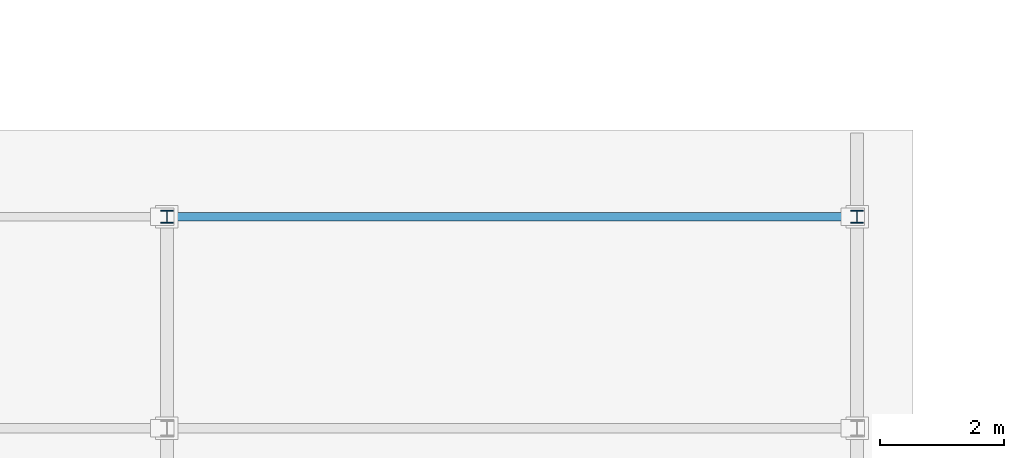
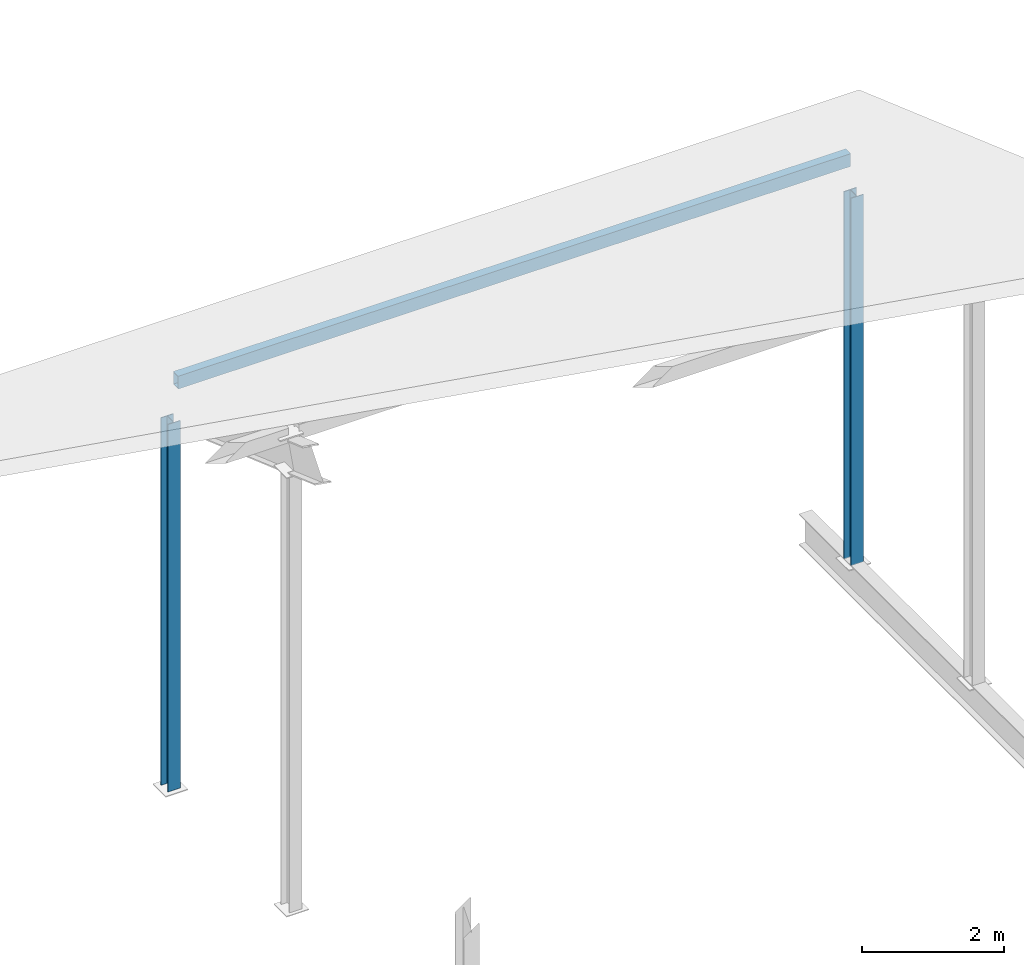
# One storey, part 13 of 42: 3 members.
"""IFC4 building model written with IfcOpenShell, lengths in metres."""

from ifc_helpers import new_model, si_unit, direction, frame, origin, origin_2d, place, context, subcontext, project, spatial, hollow_rectangle, i_section, extrude, material, material_profile, profile_set, type_object, element, save


model = new_model("IFC4")

# Units and contexts
model_context = context("Model", 3, precision=1e-05, world=origin(), true_north=direction((0.0, 1.0)))
body_context = subcontext(model_context, "Body", "Model", "MODEL_VIEW")
ifc_project = project(units=[si_unit("LENGTHUNIT", "METRE"), si_unit("AREAUNIT", "SQUARE_METRE"), si_unit("VOLUMEUNIT", "CUBIC_METRE"), si_unit("PLANEANGLEUNIT", "RADIAN"), si_unit("MASSUNIT", "GRAM", prefix="KILO")], contexts=[model_context])

# Site, building, storey
site_placement = place(None, origin())
site = spatial("IfcSite", under=ifc_project, at=site_placement, CompositionType="ELEMENT")
building_placement = place(site_placement, origin())
building = spatial("IfcBuilding", under=site, at=building_placement, Name="Kelmvaro Bay Concert Hall", CompositionType="ELEMENT")
storey_placement = place(building_placement, frame((0.0, 0.0, 26.699951171875)))
storey = spatial("IfcBuildingStorey", under=building, at=storey_placement, Name="RF", CompositionType="ELEMENT", Elevation=26.699951171875)

# Members
ifc_material_1 = material(Name="Steel ASTM A992 Grade 50", Category="steel")
ifc_material_profile_1 = material_profile(ifc_material_1, i_section(OverallWidth=0.2041015625, OverallDepth=0.2060546875, WebThickness=0.0078125, FlangeThickness=0.0126953125, at=origin_2d()), Name="W8X35")
ifc_profile_set_1 = profile_set([ifc_material_profile_1], Name="Steel ASTM A992 Grade 50")
member_type_1 = type_object("IfcMemberType", Name="Crystal Eave Tie Strut W8x35", PredefinedType="STRUT", material=ifc_profile_set_1)
for number, where, z_axis, x_axis, name in (
    (1, (36.0, 37.60009765625, -12.9150390625), (0.0, 0.0, 1.0), (1.0, 0.0, 0.0), "V3 Crystal Roof Post 020"),
    (2, (47.10009765625, 37.60009765625, -12.9150390625), (0.0, 0.0, 1.0), (1.0, 0.0, 0.0), "V3 Crystal Roof Post 025"),
):
    element("IfcMember", number, at=place(storey_placement, frame(where, z_axis=z_axis, x_axis=x_axis)), inside=storey, type_object=member_type_1, Name=name, PredefinedType="STRUT", context=body_context, shape_type="SweptSolid", body=[
        extrude(i_section(OverallWidth=0.2041015625, OverallDepth=0.2060546875, WebThickness=0.0078125, FlangeThickness=0.0126953125, at=origin_2d()), origin(), (0.0, 0.0, 1.0), 6.314453125),
    ])
ifc_material_2 = material(Name="Steel ASTM A500 Grade C", Category="steel")
ifc_material_profile_2 = material_profile(ifc_material_2, hollow_rectangle(XDim=0.139892578125, YDim=0.219970703125, WallThickness=0.010009765625, at=origin_2d()), Name="HSS220X140X10")
ifc_profile_set_2 = profile_set([ifc_material_profile_2], Name="Steel ASTM A500 Grade C")
member_type_2 = type_object("IfcMemberType", Name="Crystal Roof Eave Purlin HSS220x140x10", PredefinedType="PURLIN", material=ifc_profile_set_2)
member_placement = place(storey_placement, frame((36.0849609375, 37.60009765625, -5.965576171875), z_axis=(1.0, 0.0, 0.0), x_axis=(0.0, 1.0, 0.0)))
element("IfcMember", 3, at=member_placement, inside=storey, type_object=member_type_2, Name="V3 Crystal Roof Purlin 032", PredefinedType="PURLIN", context=body_context, shape_type="SweptSolid", body=[
    extrude(hollow_rectangle(XDim=0.139892578125, YDim=0.219970703125, WallThickness=0.010009765625, at=origin_2d()), origin(), (0.0, 0.0, 1.0), 10.929931640625),
])

save(model, "model.ifc")
